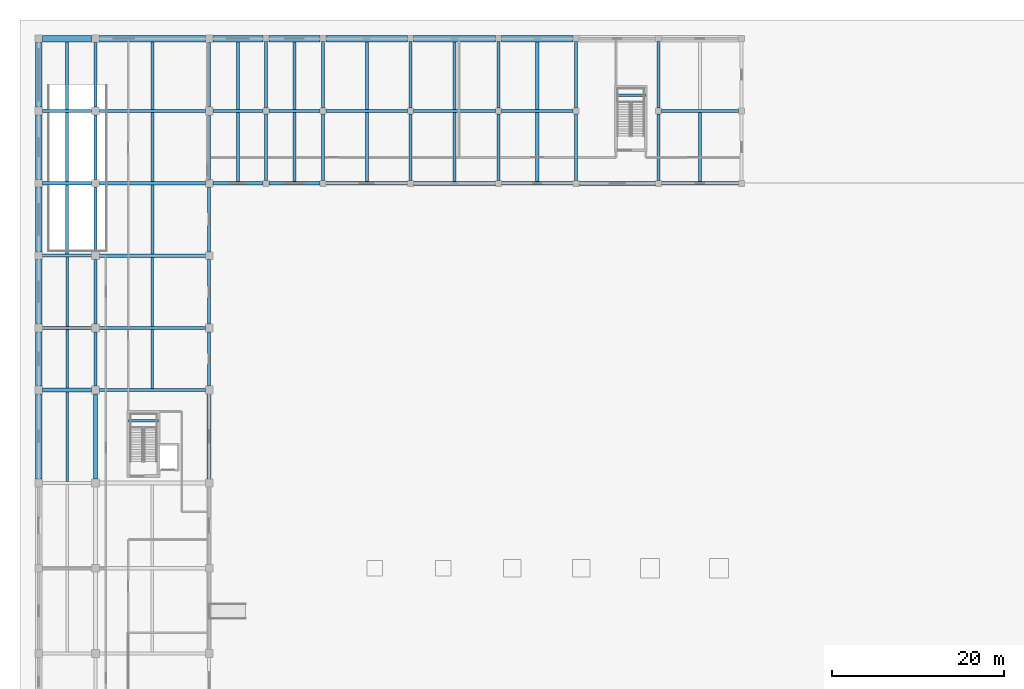
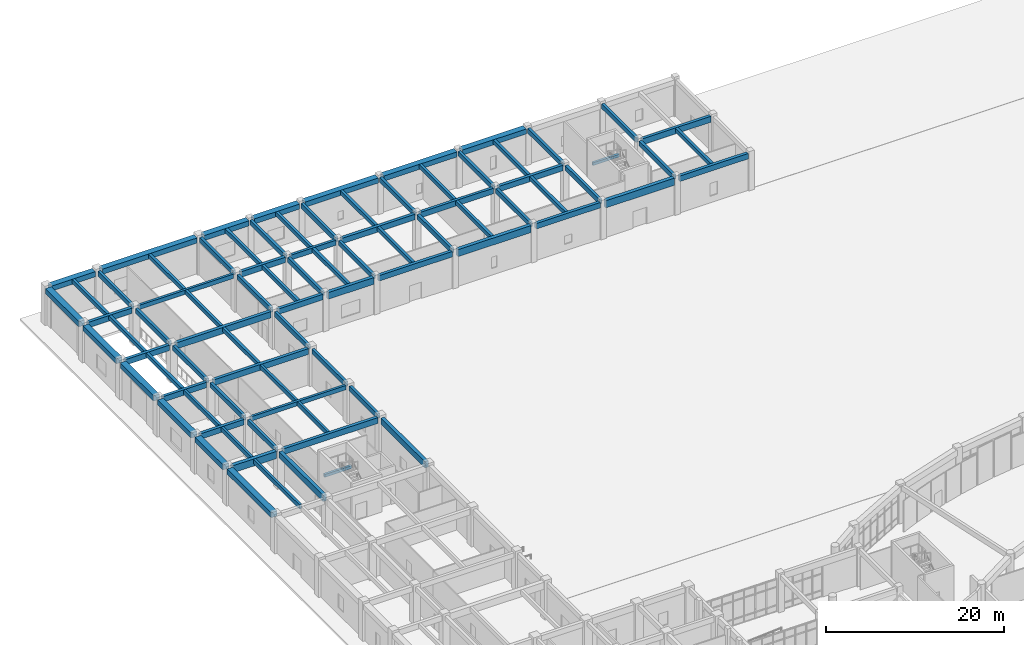
# One storey, part 22 of 70: 84 beams.
"""IFC4 building model written with IfcOpenShell, lengths in metres."""

from ifc_helpers import new_model, si_unit, direction, frame, origin, origin_2d, place, context, subcontext, project, spatial, rectangle, extrude, material, material_profile, profile_set, type_object, element, save


model = new_model("IFC4")

# Units and contexts
model_context = context("Model", 3, precision=1e-05, world=origin(), true_north=direction((0.0, 1.0)))
body_context = subcontext(model_context, "Body", "Model", "MODEL_VIEW")
ifc_project = project(units=[si_unit("LENGTHUNIT", "METRE"), si_unit("AREAUNIT", "SQUARE_METRE"), si_unit("VOLUMEUNIT", "CUBIC_METRE"), si_unit("PLANEANGLEUNIT", "RADIAN"), si_unit("MASSUNIT", "GRAM", prefix="KILO")], contexts=[model_context])

# Site, building, storey
site_placement = place(None, origin())
site = spatial("IfcSite", under=ifc_project, at=site_placement, CompositionType="ELEMENT")
building_placement = place(site_placement, origin())
building = spatial("IfcBuilding", under=site, at=building_placement, Name="Miralva Faculty of Natural Sciences", CompositionType="ELEMENT")
storey_placement = place(building_placement, origin())
storey = spatial("IfcBuildingStorey", under=building, at=storey_placement, Name="L00", CompositionType="ELEMENT", Elevation=0.0)

# Beams
ifc_material = material(Name="Concrete C40/50", Category="concrete")
ifc_material_profile_1 = material_profile(ifc_material, rectangle(XDim=0.449951171875, YDim=0.85009765625, at=origin_2d()), Name="RC 450x850")
ifc_profile_set_1 = profile_set([ifc_material_profile_1], Name="Concrete C40/50")
beam_type_1 = type_object("IfcBeamType", Name="BM-B01", PredefinedType="BEAM", material=ifc_profile_set_1)
for number, where, z_axis, x_axis, name in (
    (1, (9.60009765625, 65.85009765625, 4.655029296875), (0.0, 1.0, 0.0), (-1.0, 0.0, 0.0), "Girder NS L00-131"),
    (2, (22.800048828125, 65.85009765625, 4.655029296875), (0.0, 1.0, 0.0), (-1.0, 0.0, 0.0), "Girder NS L00-147"),
):
    element("IfcBeam", number, at=place(storey_placement, frame(where, z_axis=z_axis, x_axis=x_axis)), inside=storey, type_object=beam_type_1, Name=name, PredefinedType="BEAM", context=body_context, shape_type="SweptSolid", body=[
        extrude(rectangle(XDim=0.449951171875, YDim=0.85009765625, at=origin_2d()), origin(), (0.0, 0.0, 1.0), 9.89990234375),
    ])
ifc_material_profile_2 = material_profile(ifc_material, rectangle(XDim=0.39990234375, YDim=0.800048828125, at=origin_2d()), Name="RC 400x800")
ifc_profile_set_2 = profile_set([ifc_material_profile_2], Name="Concrete C40/50")
beam_type_2 = type_object("IfcBeamType", Name="BM-B02", PredefinedType="BEAM", material=ifc_profile_set_2)
for number, where, z_axis, x_axis, name in (
    (3, (10.050048828125, 76.199951171875, 4.679931640625), (1.0, 0.0, 0.0), (0.0, 1.0, 0.0), "Girder EW L00-62"),
    (4, (10.050048828125, 91.800048828125, 4.679931640625), (1.0, 0.0, 0.0), (0.0, 1.0, 0.0), "Girder EW L00-72"),
):
    element("IfcBeam", number, at=place(storey_placement, frame(where, z_axis=z_axis, x_axis=x_axis)), inside=storey, type_object=beam_type_2, Name=name, PredefinedType="BEAM", context=body_context, shape_type="SweptSolid", body=[
        extrude(rectangle(XDim=0.39990234375, YDim=0.800048828125, at=origin_2d()), origin(), (0.0, 0.0, 1.0), 12.300048828125),
    ])
ifc_material_profile_3 = material_profile(ifc_material, rectangle(XDim=0.39990234375, YDim=0.75, at=origin_2d()), Name="RC 400x750")
ifc_profile_set_3 = profile_set([ifc_material_profile_3], Name="Concrete C40/50")
beam_type_3 = type_object("IfcBeamType", Name="BM-B03", PredefinedType="BEAM", material=ifc_profile_set_3)
for number, where, z_axis, x_axis, name in (
    (5, (3.449951171875, 83.39990234375, 4.705078125), (1.0, 0.0, 0.0), (0.0, 1.0, 0.0), "Girder EW L00-66"),
    (6, (3.449951171875, 100.199951171875, 4.705078125), (1.0, 0.0, 0.0), (0.0, 1.0, 0.0), "Girder EW L00-76"),
):
    element("IfcBeam", number, at=place(storey_placement, frame(where, z_axis=z_axis, x_axis=x_axis)), inside=storey, type_object=beam_type_3, Name=name, PredefinedType="BEAM", context=body_context, shape_type="SweptSolid", body=[
        extrude(rectangle(XDim=0.39990234375, YDim=0.75, at=origin_2d()), origin(), (0.0, 0.0, 1.0), 5.699951171875),
    ])
beam_1_placement = place(storey_placement, frame((23.25, 100.199951171875, 4.705078125), z_axis=(1.0, 0.0, 0.0), x_axis=(0.0, 1.0, 0.0)))
element("IfcBeam", 7, at=beam_1_placement, inside=storey, type_object=beam_type_3, Name="Girder EW L00-78", PredefinedType="BEAM", context=body_context, shape_type="SweptSolid", body=[
    extrude(rectangle(XDim=0.39990234375, YDim=0.75, at=origin_2d()), origin(), (0.0, 0.0, 1.0), 5.800048828125),
])
beam_2_placement = place(storey_placement, frame((36.35009765625, 100.199951171875, 4.705078125), z_axis=(1.0, 0.0, 0.0), x_axis=(0.0, 1.0, 0.0)))
element("IfcBeam", 8, at=beam_2_placement, inside=storey, type_object=beam_type_3, Name="Girder EW L00-80", PredefinedType="BEAM", context=body_context, shape_type="SweptSolid", body=[
    extrude(rectangle(XDim=0.39990234375, YDim=0.75, at=origin_2d()), origin(), (0.0, 0.0, 1.0), 9.5),
])
beam_3_placement = place(storey_placement, frame((56.75, 100.199951171875, 4.705078125), z_axis=(1.0, 0.0, 0.0), x_axis=(0.0, 1.0, 0.0)))
element("IfcBeam", 9, at=beam_3_placement, inside=storey, type_object=beam_type_3, Name="Girder EW L00-82", PredefinedType="BEAM", context=body_context, shape_type="SweptSolid", body=[
    extrude(rectangle(XDim=0.39990234375, YDim=0.75, at=origin_2d()), origin(), (0.0, 0.0, 1.0), 8.300048828125),
])
beam_4_placement = place(storey_placement, frame((75.35009765625, 100.199951171875, 4.705078125), z_axis=(1.0, 0.0, 0.0), x_axis=(0.0, 1.0, 0.0)))
element("IfcBeam", 10, at=beam_4_placement, inside=storey, type_object=beam_type_3, Name="Girder EW L00-84", PredefinedType="BEAM", context=body_context, shape_type="SweptSolid", body=[
    extrude(rectangle(XDim=0.39990234375, YDim=0.75, at=origin_2d()), origin(), (0.0, 0.0, 1.0), 8.89990234375),
])
beam_5_placement = place(storey_placement, frame((3.449951171875, 108.60009765625, 4.705078125), z_axis=(1.0, 0.0, 0.0), x_axis=(0.0, 1.0, 0.0)))
element("IfcBeam", 11, at=beam_5_placement, inside=storey, type_object=beam_type_3, Name="Girder EW L00-88", PredefinedType="BEAM", context=body_context, shape_type="SweptSolid", body=[
    extrude(rectangle(XDim=0.39990234375, YDim=0.75, at=origin_2d()), origin(), (0.0, 0.0, 1.0), 5.699951171875),
])
beam_6_placement = place(storey_placement, frame((23.25, 108.60009765625, 4.705078125), z_axis=(1.0, 0.0, 0.0), x_axis=(0.0, 1.0, 0.0)))
element("IfcBeam", 12, at=beam_6_placement, inside=storey, type_object=beam_type_3, Name="Girder EW L00-90", PredefinedType="BEAM", context=body_context, shape_type="SweptSolid", body=[
    extrude(rectangle(XDim=0.39990234375, YDim=0.75, at=origin_2d()), origin(), (0.0, 0.0, 1.0), 5.800048828125),
])
beam_7_placement = place(storey_placement, frame((36.35009765625, 108.60009765625, 4.705078125), z_axis=(1.0, 0.0, 0.0), x_axis=(0.0, 1.0, 0.0)))
element("IfcBeam", 13, at=beam_7_placement, inside=storey, type_object=beam_type_3, Name="Girder EW L00-92", PredefinedType="BEAM", context=body_context, shape_type="SweptSolid", body=[
    extrude(rectangle(XDim=0.39990234375, YDim=0.75, at=origin_2d()), origin(), (0.0, 0.0, 1.0), 9.5),
])
beam_8_placement = place(storey_placement, frame((56.75, 108.60009765625, 4.705078125), z_axis=(1.0, 0.0, 0.0), x_axis=(0.0, 1.0, 0.0)))
element("IfcBeam", 14, at=beam_8_placement, inside=storey, type_object=beam_type_3, Name="Girder EW L00-94", PredefinedType="BEAM", context=body_context, shape_type="SweptSolid", body=[
    extrude(rectangle(XDim=0.39990234375, YDim=0.75, at=origin_2d()), origin(), (0.0, 0.0, 1.0), 8.300048828125),
])
ifc_material_profile_4 = material_profile(ifc_material, rectangle(XDim=0.35009765625, YDim=0.64990234375, at=origin_2d()), Name="RC 350x650")
ifc_profile_set_4 = profile_set([ifc_material_profile_4], Name="Concrete C40/50")
beam_type_4 = type_object("IfcBeamType", Name="BM-B05", PredefinedType="BEAM", material=ifc_profile_set_4)
beam_9_placement = place(storey_placement, frame((9.60009765625, 76.64990234375, 4.7548828125), z_axis=(0.0, 1.0, 0.0), x_axis=(-1.0, 0.0, 0.0)))
element("IfcBeam", 15, at=beam_9_placement, inside=storey, type_object=beam_type_4, Name="Girder NS L00-132", PredefinedType="BEAM", context=body_context, shape_type="SweptSolid", body=[
    extrude(rectangle(XDim=0.35009765625, YDim=0.64990234375, at=origin_2d()), origin(), (0.0, 0.0, 1.0), 6.300048828125),
])
for number, where, z_axis, x_axis, name in (
    (16, (9.60009765625, 83.85009765625, 4.7548828125), (0.0, 1.0, 0.0), (-1.0, 0.0, 0.0), "Girder NS L00-133"),
    (17, (9.60009765625, 92.25, 4.7548828125), (0.0, 1.0, 0.0), (-1.0, 0.0, 0.0), "Girder NS L00-134"),
    (18, (9.60009765625, 100.64990234375, 4.7548828125), (0.0, 1.0, 0.0), (-1.0, 0.0, 0.0), "Girder NS L00-135"),
    (19, (9.60009765625, 109.050048828125, 4.7548828125), (0.0, 1.0, 0.0), (-1.0, 0.0, 0.0), "Girder NS L00-136"),
):
    element("IfcBeam", number, at=place(storey_placement, frame(where, z_axis=z_axis, x_axis=x_axis)), inside=storey, type_object=beam_type_4, Name=name, PredefinedType="BEAM", context=body_context, shape_type="SweptSolid", body=[
        extrude(rectangle(XDim=0.35009765625, YDim=0.64990234375, at=origin_2d()), origin(), (0.0, 0.0, 1.0), 7.5),
    ])
beam_10_placement = place(storey_placement, frame((22.800048828125, 76.64990234375, 4.7548828125), z_axis=(0.0, 1.0, 0.0), x_axis=(-1.0, 0.0, 0.0)))
element("IfcBeam", 20, at=beam_10_placement, inside=storey, type_object=beam_type_4, Name="Girder NS L00-148", PredefinedType="BEAM", context=body_context, shape_type="SweptSolid", body=[
    extrude(rectangle(XDim=0.35009765625, YDim=0.64990234375, at=origin_2d()), origin(), (0.0, 0.0, 1.0), 6.300048828125),
])
for number, where, z_axis, x_axis, name in (
    (21, (22.800048828125, 83.85009765625, 4.7548828125), (0.0, 1.0, 0.0), (-1.0, 0.0, 0.0), "Girder NS L00-149"),
    (22, (22.800048828125, 92.25, 4.7548828125), (0.0, 1.0, 0.0), (-1.0, 0.0, 0.0), "Girder NS L00-150"),
    (23, (22.800048828125, 100.64990234375, 4.7548828125), (0.0, 1.0, 0.0), (-1.0, 0.0, 0.0), "Girder NS L00-151"),
    (24, (22.800048828125, 109.050048828125, 4.7548828125), (0.0, 1.0, 0.0), (-1.0, 0.0, 0.0), "Girder NS L00-152"),
):
    element("IfcBeam", number, at=place(storey_placement, frame(where, z_axis=z_axis, x_axis=x_axis)), inside=storey, type_object=beam_type_4, Name=name, PredefinedType="BEAM", context=body_context, shape_type="SweptSolid", body=[
        extrude(rectangle(XDim=0.35009765625, YDim=0.64990234375, at=origin_2d()), origin(), (0.0, 0.0, 1.0), 7.5),
    ])
for number, where, z_axis, x_axis, name in (
    (25, (29.39990234375, 100.550048828125, 4.7548828125), (0.0, 1.0, 0.0), (-1.0, 0.0, 0.0), "Girder NS L00-156"),
    (26, (29.39990234375, 108.949951171875, 4.7548828125), (0.0, 1.0, 0.0), (-1.0, 0.0, 0.0), "Girder NS L00-157"),
    (27, (36.0, 100.550048828125, 4.7548828125), (0.0, 1.0, 0.0), (-1.0, 0.0, 0.0), "Girder NS L00-161"),
    (28, (36.0, 108.949951171875, 4.7548828125), (0.0, 1.0, 0.0), (-1.0, 0.0, 0.0), "Girder NS L00-162"),
    (29, (46.199951171875, 100.550048828125, 4.7548828125), (0.0, 1.0, 0.0), (-1.0, 0.0, 0.0), "Girder NS L00-164"),
    (30, (46.199951171875, 108.949951171875, 4.7548828125), (0.0, 1.0, 0.0), (-1.0, 0.0, 0.0), "Girder NS L00-165"),
    (31, (56.39990234375, 100.550048828125, 4.7548828125), (0.0, 1.0, 0.0), (-1.0, 0.0, 0.0), "Girder NS L00-167"),
    (32, (56.39990234375, 108.949951171875, 4.7548828125), (0.0, 1.0, 0.0), (-1.0, 0.0, 0.0), "Girder NS L00-168"),
    (33, (65.39990234375, 100.550048828125, 4.7548828125), (0.0, 1.0, 0.0), (-1.0, 0.0, 0.0), "Girder NS L00-169"),
    (34, (65.39990234375, 108.949951171875, 4.7548828125), (0.0, 1.0, 0.0), (-1.0, 0.0, 0.0), "Girder NS L00-170"),
    (35, (75.0, 100.550048828125, 4.7548828125), (0.0, 1.0, 0.0), (-1.0, 0.0, 0.0), "Girder NS L00-171"),
    (36, (75.0, 108.949951171875, 4.7548828125), (0.0, 1.0, 0.0), (-1.0, 0.0, 0.0), "Girder NS L00-172"),
):
    element("IfcBeam", number, at=place(storey_placement, frame(where, z_axis=z_axis, x_axis=x_axis)), inside=storey, type_object=beam_type_4, Name=name, PredefinedType="BEAM", context=body_context, shape_type="SweptSolid", body=[
        extrude(rectangle(XDim=0.35009765625, YDim=0.64990234375, at=origin_2d()), origin(), (0.0, 0.0, 1.0), 7.699951171875),
    ])
ifc_material_profile_5 = material_profile(ifc_material, rectangle(XDim=0.320068359375, YDim=0.580078125, at=origin_2d()), Name="RC 320x580")
ifc_profile_set_5 = profile_set([ifc_material_profile_5], Name="Concrete C40/50")
beam_type_5 = type_object("IfcBeamType", Name="BM-BG02", PredefinedType="BEAM", material=ifc_profile_set_5)
for number, where, z_axis, x_axis, name in (
    (37, (10.050048828125, 83.39990234375, 4.7900390625), (1.0, 0.0, 0.0), (0.0, 1.0, 0.0), "Girder EW L00-67"),
    (38, (10.050048828125, 108.60009765625, 4.7900390625), (1.0, 0.0, 0.0), (0.0, 1.0, 0.0), "Girder EW L00-89"),
):
    element("IfcBeam", number, at=place(storey_placement, frame(where, z_axis=z_axis, x_axis=x_axis)), inside=storey, type_object=beam_type_5, Name=name, PredefinedType="BEAM", context=body_context, shape_type="SweptSolid", body=[
        extrude(rectangle(XDim=0.320068359375, YDim=0.580078125, at=origin_2d()), origin(), (0.0, 0.0, 1.0), 12.300048828125),
    ])
ifc_material_profile_6 = material_profile(ifc_material, rectangle(XDim=0.340087890625, YDim=0.679931640625, at=origin_2d()), Name="RC 340x680")
ifc_profile_set_6 = profile_set([ifc_material_profile_6], Name="Concrete C40/50")
beam_type_6 = type_object("IfcBeamType", Name="BM-BG04", PredefinedType="BEAM", material=ifc_profile_set_6)
beam_11_placement = place(storey_placement, frame((29.75, 108.60009765625, 4.739990234375), z_axis=(1.0, 0.0, 0.0), x_axis=(0.0, 1.0, 0.0)))
element("IfcBeam", 39, at=beam_11_placement, inside=storey, type_object=beam_type_6, Name="Girder EW L00-91", PredefinedType="BEAM", context=body_context, shape_type="SweptSolid", body=[
    extrude(rectangle(XDim=0.340087890625, YDim=0.679931640625, at=origin_2d()), origin(), (0.0, 0.0, 1.0), 5.89990234375),
])
ifc_material_profile_7 = material_profile(ifc_material, rectangle(XDim=0.360107421875, YDim=0.760009765625, at=origin_2d()), Name="RC 360x760")
ifc_profile_set_7 = profile_set([ifc_material_profile_7], Name="Concrete C40/50")
beam_type_7 = type_object("IfcBeamType", Name="BM-BG06", PredefinedType="BEAM", material=ifc_profile_set_7)
beam_12_placement = place(storey_placement, frame((3.449951171875, 91.800048828125, 4.699951171875), z_axis=(1.0, 0.0, 0.0), x_axis=(0.0, 1.0, 0.0)))
element("IfcBeam", 40, at=beam_12_placement, inside=storey, type_object=beam_type_7, Name="Girder EW L00-71", PredefinedType="BEAM", context=body_context, shape_type="SweptSolid", body=[
    extrude(rectangle(XDim=0.360107421875, YDim=0.760009765625, at=origin_2d()), origin(), (0.0, 0.0, 1.0), 5.699951171875),
])
beam_13_placement = place(storey_placement, frame((46.550048828125, 108.60009765625, 4.699951171875), z_axis=(1.0, 0.0, 0.0), x_axis=(0.0, 1.0, 0.0)))
element("IfcBeam", 41, at=beam_13_placement, inside=storey, type_object=beam_type_7, Name="Girder EW L00-93", PredefinedType="BEAM", context=body_context, shape_type="SweptSolid", body=[
    extrude(rectangle(XDim=0.360107421875, YDim=0.760009765625, at=origin_2d()), origin(), (0.0, 0.0, 1.0), 9.5),
])
ifc_material_profile_8 = material_profile(ifc_material, rectangle(XDim=0.3798828125, YDim=0.820068359375, at=origin_2d()), Name="RC 380x820")
ifc_profile_set_8 = profile_set([ifc_material_profile_8], Name="Concrete C40/50")
beam_type_8 = type_object("IfcBeamType", Name="BM-BG08", PredefinedType="BEAM", material=ifc_profile_set_8)
beam_14_placement = place(storey_placement, frame((75.35009765625, 108.60009765625, 4.669921875), z_axis=(1.0, 0.0, 0.0), x_axis=(0.0, 1.0, 0.0)))
element("IfcBeam", 42, at=beam_14_placement, inside=storey, type_object=beam_type_8, Name="Girder EW L00-95", PredefinedType="BEAM", context=body_context, shape_type="SweptSolid", body=[
    extrude(rectangle(XDim=0.3798828125, YDim=0.820068359375, at=origin_2d()), origin(), (0.0, 0.0, 1.0), 8.89990234375),
])
ifc_material_profile_9 = material_profile(ifc_material, rectangle(XDim=0.419921875, YDim=0.860107421875, at=origin_2d()), Name="RC 420x860")
ifc_profile_set_9 = profile_set([ifc_material_profile_9], Name="Concrete C40/50")
beam_type_9 = type_object("IfcBeamType", Name="BM-BG12", PredefinedType="BEAM", material=ifc_profile_set_9)
beam_15_placement = place(storey_placement, frame((10.050048828125, 100.199951171875, 4.64990234375), z_axis=(1.0, 0.0, 0.0), x_axis=(0.0, 1.0, 0.0)))
element("IfcBeam", 43, at=beam_15_placement, inside=storey, type_object=beam_type_9, Name="Girder EW L00-77", PredefinedType="BEAM", context=body_context, shape_type="SweptSolid", body=[
    extrude(rectangle(XDim=0.419921875, YDim=0.860107421875, at=origin_2d()), origin(), (0.0, 0.0, 1.0), 12.300048828125),
])
ifc_material_profile_10 = material_profile(ifc_material, rectangle(XDim=0.43994140625, YDim=0.919921875, at=origin_2d()), Name="RC 440x920")
ifc_profile_set_10 = profile_set([ifc_material_profile_10], Name="Concrete C40/50")
beam_type_10 = type_object("IfcBeamType", Name="BM-BG14", PredefinedType="BEAM", material=ifc_profile_set_10)
beam_16_placement = place(storey_placement, frame((29.75, 100.199951171875, 4.6201171875), z_axis=(1.0, 0.0, 0.0), x_axis=(0.0, 1.0, 0.0)))
element("IfcBeam", 44, at=beam_16_placement, inside=storey, type_object=beam_type_10, Name="Girder EW L00-79", PredefinedType="BEAM", context=body_context, shape_type="SweptSolid", body=[
    extrude(rectangle(XDim=0.43994140625, YDim=0.919921875, at=origin_2d()), origin(), (0.0, 0.0, 1.0), 5.89990234375),
])
ifc_material_profile_11 = material_profile(ifc_material, rectangle(XDim=0.4599609375, YDim=0.9599609375, at=origin_2d()), Name="RC 460x960")
ifc_profile_set_11 = profile_set([ifc_material_profile_11], Name="Concrete C40/50")
beam_type_11 = type_object("IfcBeamType", Name="BM-BG16", PredefinedType="BEAM", material=ifc_profile_set_11)
beam_17_placement = place(storey_placement, frame((46.550048828125, 100.199951171875, 4.60009765625), z_axis=(1.0, 0.0, 0.0), x_axis=(0.0, 1.0, 0.0)))
element("IfcBeam", 45, at=beam_17_placement, inside=storey, type_object=beam_type_11, Name="Girder EW L00-81", PredefinedType="BEAM", context=body_context, shape_type="SweptSolid", body=[
    extrude(rectangle(XDim=0.4599609375, YDim=0.9599609375, at=origin_2d()), origin(), (0.0, 0.0, 1.0), 9.5),
])
ifc_material_profile_12 = material_profile(ifc_material, rectangle(XDim=0.47998046875, YDim=0.97998046875, at=origin_2d()), Name="RC 480x980")
ifc_profile_set_12 = profile_set([ifc_material_profile_12], Name="Concrete C40/50")
beam_type_12 = type_object("IfcBeamType", Name="BM-BG18", PredefinedType="BEAM", material=ifc_profile_set_12)
beam_18_placement = place(storey_placement, frame((3.449951171875, 76.199951171875, 4.590087890625), z_axis=(1.0, 0.0, 0.0), x_axis=(0.0, 1.0, 0.0)))
element("IfcBeam", 46, at=beam_18_placement, inside=storey, type_object=beam_type_12, Name="Girder EW L00-61", PredefinedType="BEAM", context=body_context, shape_type="SweptSolid", body=[
    extrude(rectangle(XDim=0.47998046875, YDim=0.97998046875, at=origin_2d()), origin(), (0.0, 0.0, 1.0), 5.699951171875),
])
beam_19_placement = place(storey_placement, frame((65.75, 100.199951171875, 4.590087890625), z_axis=(1.0, 0.0, 0.0), x_axis=(0.0, 1.0, 0.0)))
element("IfcBeam", 47, at=beam_19_placement, inside=storey, type_object=beam_type_12, Name="Girder EW L00-83", PredefinedType="BEAM", context=body_context, shape_type="SweptSolid", body=[
    extrude(rectangle(XDim=0.47998046875, YDim=0.97998046875, at=origin_2d()), origin(), (0.0, 0.0, 1.0), 8.89990234375),
])
ifc_material_profile_13 = material_profile(ifc_material, rectangle(XDim=0.300048828125, YDim=0.60009765625, at=origin_2d()), Name="RC 300x600")
ifc_profile_set_13 = profile_set([ifc_material_profile_13], Name="Concrete C40/50")
beam_type_13 = type_object("IfcBeamType", Name="BM-J01", PredefinedType="JOIST", material=ifc_profile_set_13)
beam_20_placement = place(storey_placement, frame((6.300048828125, 65.60009765625, 4.780029296875), z_axis=(0.0, 1.0, 0.0), x_axis=(-1.0, 0.0, 0.0)))
element("IfcBeam", 48, at=beam_20_placement, inside=storey, type_object=beam_type_13, Name="Floor joist L00-22", PredefinedType="JOIST", context=body_context, shape_type="SweptSolid", body=[
    extrude(rectangle(XDim=0.300048828125, YDim=0.60009765625, at=origin_2d()), origin(), (0.0, 0.0, 1.0), 10.35986328125),
])
beam_21_placement = place(storey_placement, frame((6.300048828125, 76.43994140625, 4.780029296875), z_axis=(0.0, 1.0, 0.0), x_axis=(-1.0, 0.0, 0.0)))
element("IfcBeam", 49, at=beam_21_placement, inside=storey, type_object=beam_type_13, Name="Floor joist L00-26", PredefinedType="JOIST", context=body_context, shape_type="SweptSolid", body=[
    extrude(rectangle(XDim=0.300048828125, YDim=0.60009765625, at=origin_2d()), origin(), (0.0, 0.0, 1.0), 6.760009765625),
])
beam_22_placement = place(storey_placement, frame((16.199951171875, 76.39990234375, 4.780029296875), z_axis=(0.0, 1.0, 0.0), x_axis=(-1.0, 0.0, 0.0)))
element("IfcBeam", 50, at=beam_22_placement, inside=storey, type_object=beam_type_13, Name="Floor joist L00-27", PredefinedType="JOIST", context=body_context, shape_type="SweptSolid", body=[
    extrude(rectangle(XDim=0.300048828125, YDim=0.60009765625, at=origin_2d()), origin(), (0.0, 0.0, 1.0), 6.840087890625),
])
beam_23_placement = place(storey_placement, frame((6.300048828125, 83.60009765625, 4.780029296875), z_axis=(0.0, 1.0, 0.0), x_axis=(-1.0, 0.0, 0.0)))
element("IfcBeam", 51, at=beam_23_placement, inside=storey, type_object=beam_type_13, Name="Floor joist L00-31", PredefinedType="JOIST", context=body_context, shape_type="SweptSolid", body=[
    extrude(rectangle(XDim=0.300048828125, YDim=0.60009765625, at=origin_2d()), origin(), (0.0, 0.0, 1.0), 8.02001953125),
])
beam_24_placement = place(storey_placement, frame((16.199951171875, 83.56005859375, 4.780029296875), z_axis=(0.0, 1.0, 0.0), x_axis=(-1.0, 0.0, 0.0)))
element("IfcBeam", 52, at=beam_24_placement, inside=storey, type_object=beam_type_13, Name="Floor joist L00-32", PredefinedType="JOIST", context=body_context, shape_type="SweptSolid", body=[
    extrude(rectangle(XDim=0.300048828125, YDim=0.60009765625, at=origin_2d()), origin(), (0.0, 0.0, 1.0), 8.0400390625),
])
ifc_material_profile_14 = material_profile(ifc_material, rectangle(XDim=0.35009765625, YDim=0.550048828125, at=origin_2d()), Name="RC 350x550")
ifc_profile_set_14 = profile_set([ifc_material_profile_14], Name="Concrete C40/50")
beam_type_14 = type_object("IfcBeamType", Name="BM-J04", PredefinedType="JOIST", material=ifc_profile_set_14)
beam_25_placement = place(storey_placement, frame((6.300048828125, 91.97998046875, 4.804931640625), z_axis=(0.0, 1.0, 0.0), x_axis=(-1.0, 0.0, 0.0)))
element("IfcBeam", 53, at=beam_25_placement, inside=storey, type_object=beam_type_14, Name="Floor joist L00-36", PredefinedType="JOIST", context=body_context, shape_type="SweptSolid", body=[
    extrude(rectangle(XDim=0.35009765625, YDim=0.550048828125, at=origin_2d()), origin(), (0.0, 0.0, 1.0), 8.02001953125),
])
beam_26_placement = place(storey_placement, frame((16.199951171875, 92.0, 4.804931640625), z_axis=(0.0, 1.0, 0.0), x_axis=(-1.0, 0.0, 0.0)))
element("IfcBeam", 54, at=beam_26_placement, inside=storey, type_object=beam_type_14, Name="Floor joist L00-37", PredefinedType="JOIST", context=body_context, shape_type="SweptSolid", body=[
    extrude(rectangle(XDim=0.35009765625, YDim=0.550048828125, at=origin_2d()), origin(), (0.0, 0.0, 1.0), 7.989990234375),
])
beam_27_placement = place(storey_placement, frame((6.300048828125, 100.39990234375, 4.804931640625), z_axis=(0.0, 1.0, 0.0), x_axis=(-1.0, 0.0, 0.0)))
element("IfcBeam", 55, at=beam_27_placement, inside=storey, type_object=beam_type_14, Name="Floor joist L00-41", PredefinedType="JOIST", context=body_context, shape_type="SweptSolid", body=[
    extrude(rectangle(XDim=0.35009765625, YDim=0.550048828125, at=origin_2d()), origin(), (0.0, 0.0, 1.0), 8.0),
])
beam_28_placement = place(storey_placement, frame((16.199951171875, 100.409912109375, 4.804931640625), z_axis=(0.0, 1.0, 0.0), x_axis=(-1.0, 0.0, 0.0)))
element("IfcBeam", 56, at=beam_28_placement, inside=storey, type_object=beam_type_14, Name="Floor joist L00-42", PredefinedType="JOIST", context=body_context, shape_type="SweptSolid", body=[
    extrude(rectangle(XDim=0.35009765625, YDim=0.550048828125, at=origin_2d()), origin(), (0.0, 0.0, 1.0), 8.030029296875),
])
beam_29_placement = place(storey_placement, frame((26.14990234375, 100.39990234375, 4.804931640625), z_axis=(0.0, 1.0, 0.0), x_axis=(-1.0, 0.0, 0.0)))
element("IfcBeam", 57, at=beam_29_placement, inside=storey, type_object=beam_type_14, Name="Floor joist L00-43", PredefinedType="JOIST", context=body_context, shape_type="SweptSolid", body=[
    extrude(rectangle(XDim=0.35009765625, YDim=0.550048828125, at=origin_2d()), origin(), (0.0, 0.0, 1.0), 8.0),
])
beam_30_placement = place(storey_placement, frame((32.699951171875, 100.419921875, 4.804931640625), z_axis=(0.0, 1.0, 0.0), x_axis=(-1.0, 0.0, 0.0)))
element("IfcBeam", 58, at=beam_30_placement, inside=storey, type_object=beam_type_14, Name="Floor joist L00-44", PredefinedType="JOIST", context=body_context, shape_type="SweptSolid", body=[
    extrude(rectangle(XDim=0.35009765625, YDim=0.550048828125, at=origin_2d()), origin(), (0.0, 0.0, 1.0), 8.010009765625),
])
beam_31_placement = place(storey_placement, frame((41.10009765625, 100.39990234375, 4.804931640625), z_axis=(0.0, 1.0, 0.0), x_axis=(-1.0, 0.0, 0.0)))
element("IfcBeam", 59, at=beam_31_placement, inside=storey, type_object=beam_type_14, Name="Floor joist L00-45", PredefinedType="JOIST", context=body_context, shape_type="SweptSolid", body=[
    extrude(rectangle(XDim=0.35009765625, YDim=0.550048828125, at=origin_2d()), origin(), (0.0, 0.0, 1.0), 8.0),
])
beam_32_placement = place(storey_placement, frame((51.300048828125, 100.429931640625, 4.804931640625), z_axis=(0.0, 1.0, 0.0), x_axis=(-1.0, 0.0, 0.0)))
element("IfcBeam", 60, at=beam_32_placement, inside=storey, type_object=beam_type_14, Name="Floor joist L00-46", PredefinedType="JOIST", context=body_context, shape_type="SweptSolid", body=[
    extrude(rectangle(XDim=0.35009765625, YDim=0.550048828125, at=origin_2d()), origin(), (0.0, 0.0, 1.0), 7.989990234375),
])
beam_33_placement = place(storey_placement, frame((60.89990234375, 100.39990234375, 4.804931640625), z_axis=(0.0, 1.0, 0.0), x_axis=(-1.0, 0.0, 0.0)))
element("IfcBeam", 61, at=beam_33_placement, inside=storey, type_object=beam_type_14, Name="Floor joist L00-47", PredefinedType="JOIST", context=body_context, shape_type="SweptSolid", body=[
    extrude(rectangle(XDim=0.35009765625, YDim=0.550048828125, at=origin_2d()), origin(), (0.0, 0.0, 1.0), 8.0),
])
beam_34_placement = place(storey_placement, frame((79.800048828125, 100.39990234375, 4.804931640625), z_axis=(0.0, 1.0, 0.0), x_axis=(-1.0, 0.0, 0.0)))
element("IfcBeam", 62, at=beam_34_placement, inside=storey, type_object=beam_type_14, Name="Floor joist L00-48", PredefinedType="JOIST", context=body_context, shape_type="SweptSolid", body=[
    extrude(rectangle(XDim=0.35009765625, YDim=0.550048828125, at=origin_2d()), origin(), (0.0, 0.0, 1.0), 8.010009765625),
])
beam_35_placement = place(storey_placement, frame((6.300048828125, 108.800048828125, 4.804931640625), z_axis=(0.0, 1.0, 0.0), x_axis=(-1.0, 0.0, 0.0)))
element("IfcBeam", 63, at=beam_35_placement, inside=storey, type_object=beam_type_14, Name="Floor joist L00-52", PredefinedType="JOIST", context=body_context, shape_type="SweptSolid", body=[
    extrude(rectangle(XDim=0.35009765625, YDim=0.550048828125, at=origin_2d()), origin(), (0.0, 0.0, 1.0), 7.824951171875),
])
beam_36_placement = place(storey_placement, frame((16.199951171875, 108.760009765625, 4.804931640625), z_axis=(0.0, 1.0, 0.0), x_axis=(-1.0, 0.0, 0.0)))
element("IfcBeam", 64, at=beam_36_placement, inside=storey, type_object=beam_type_14, Name="Floor joist L00-53", PredefinedType="JOIST", context=body_context, shape_type="SweptSolid", body=[
    extrude(rectangle(XDim=0.35009765625, YDim=0.550048828125, at=origin_2d()), origin(), (0.0, 0.0, 1.0), 7.864990234375),
])
beam_37_placement = place(storey_placement, frame((26.14990234375, 108.800048828125, 4.804931640625), z_axis=(0.0, 1.0, 0.0), x_axis=(-1.0, 0.0, 0.0)))
element("IfcBeam", 65, at=beam_37_placement, inside=storey, type_object=beam_type_14, Name="Floor joist L00-54", PredefinedType="JOIST", context=body_context, shape_type="SweptSolid", body=[
    extrude(rectangle(XDim=0.35009765625, YDim=0.550048828125, at=origin_2d()), origin(), (0.0, 0.0, 1.0), 7.824951171875),
])
beam_38_placement = place(storey_placement, frame((32.699951171875, 108.77001953125, 4.804931640625), z_axis=(0.0, 1.0, 0.0), x_axis=(-1.0, 0.0, 0.0)))
element("IfcBeam", 66, at=beam_38_placement, inside=storey, type_object=beam_type_14, Name="Floor joist L00-55", PredefinedType="JOIST", context=body_context, shape_type="SweptSolid", body=[
    extrude(rectangle(XDim=0.35009765625, YDim=0.550048828125, at=origin_2d()), origin(), (0.0, 0.0, 1.0), 7.85498046875),
])
beam_39_placement = place(storey_placement, frame((41.10009765625, 108.800048828125, 4.804931640625), z_axis=(0.0, 1.0, 0.0), x_axis=(-1.0, 0.0, 0.0)))
element("IfcBeam", 67, at=beam_39_placement, inside=storey, type_object=beam_type_14, Name="Floor joist L00-56", PredefinedType="JOIST", context=body_context, shape_type="SweptSolid", body=[
    extrude(rectangle(XDim=0.35009765625, YDim=0.550048828125, at=origin_2d()), origin(), (0.0, 0.0, 1.0), 7.824951171875),
])
beam_40_placement = place(storey_placement, frame((51.300048828125, 108.780029296875, 4.804931640625), z_axis=(0.0, 1.0, 0.0), x_axis=(-1.0, 0.0, 0.0)))
element("IfcBeam", 68, at=beam_40_placement, inside=storey, type_object=beam_type_14, Name="Floor joist L00-57", PredefinedType="JOIST", context=body_context, shape_type="SweptSolid", body=[
    extrude(rectangle(XDim=0.35009765625, YDim=0.550048828125, at=origin_2d()), origin(), (0.0, 0.0, 1.0), 7.844970703125),
])
beam_41_placement = place(storey_placement, frame((60.89990234375, 108.800048828125, 4.804931640625), z_axis=(0.0, 1.0, 0.0), x_axis=(-1.0, 0.0, 0.0)))
element("IfcBeam", 69, at=beam_41_placement, inside=storey, type_object=beam_type_14, Name="Floor joist L00-58", PredefinedType="JOIST", context=body_context, shape_type="SweptSolid", body=[
    extrude(rectangle(XDim=0.35009765625, YDim=0.550048828125, at=origin_2d()), origin(), (0.0, 0.0, 1.0), 7.824951171875),
])
ifc_material_profile_15 = material_profile(ifc_material, rectangle(XDim=0.300048828125, YDim=0.3798828125, at=origin_2d()), Name="RC 300x380")
ifc_profile_set_15 = profile_set([ifc_material_profile_15], Name="Concrete C40/50")
beam_type_15 = type_object("IfcBeamType", Name="BM-LND01", PredefinedType="BEAM", material=ifc_profile_set_15)
beam_42_placement = place(storey_placement, frame((13.425048828125, 72.635009765625, 2.320068359375), z_axis=(1.0, 0.0, 0.0), x_axis=(0.0, 1.0, 0.0)))
element("IfcBeam", 70, at=beam_42_placement, inside=storey, type_object=beam_type_15, Name="Stair Core C2 half-landing support beam L00", PredefinedType="BEAM", context=body_context, shape_type="SweptSolid", body=[
    extrude(rectangle(XDim=0.300048828125, YDim=0.3798828125, at=origin_2d()), origin(), (0.0, 0.0, 1.0), 3.5),
])
beam_43_placement = place(storey_placement, frame((70.050048828125, 110.43505859375, 2.320068359375), z_axis=(1.0, 0.0, 0.0), x_axis=(0.0, 1.0, 0.0)))
element("IfcBeam", 71, at=beam_43_placement, inside=storey, type_object=beam_type_15, Name="Stair Core C5 half-landing support beam L00", PredefinedType="BEAM", context=body_context, shape_type="SweptSolid", body=[
    extrude(rectangle(XDim=0.300048828125, YDim=0.3798828125, at=origin_2d()), origin(), (0.0, 0.0, 1.0), 3.449951171875),
])
ifc_material_profile_16 = material_profile(ifc_material, rectangle(XDim=0.75, YDim=0.699951171875, at=origin_2d()), Name="RC 750x700")
ifc_profile_set_16 = profile_set([ifc_material_profile_16], Name="Concrete C40/50")
beam_type_16 = type_object("IfcBeamType", Name="BM-SP01", PredefinedType="SPANDREL", material=ifc_profile_set_16)
beam_44_placement = place(storey_placement, frame((3.449951171875, 117.0, 4.72998046875), z_axis=(1.0, 0.0, 0.0), x_axis=(0.0, 1.0, 0.0)))
element("IfcBeam", 72, at=beam_44_placement, inside=storey, type_object=beam_type_16, Name="Girder EW L00-99", PredefinedType="SPANDREL", context=body_context, shape_type="SweptSolid", body=[
    extrude(rectangle(XDim=0.75, YDim=0.699951171875, at=origin_2d()), origin(), (0.0, 0.0, 1.0), 5.699951171875),
])
beam_45_placement = place(storey_placement, frame((10.050048828125, 117.0, 4.72998046875), z_axis=(1.0, 0.0, 0.0), x_axis=(0.0, 1.0, 0.0)))
element("IfcBeam", 73, at=beam_45_placement, inside=storey, type_object=beam_type_16, Name="Girder EW L00-100", PredefinedType="SPANDREL", context=body_context, shape_type="SweptSolid", body=[
    extrude(rectangle(XDim=0.75, YDim=0.699951171875, at=origin_2d()), origin(), (0.0, 0.0, 1.0), 12.300048828125),
])
beam_46_placement = place(storey_placement, frame((23.25, 117.0, 4.72998046875), z_axis=(1.0, 0.0, 0.0), x_axis=(0.0, 1.0, 0.0)))
element("IfcBeam", 74, at=beam_46_placement, inside=storey, type_object=beam_type_16, Name="Girder EW L00-101", PredefinedType="SPANDREL", context=body_context, shape_type="SweptSolid", body=[
    extrude(rectangle(XDim=0.75, YDim=0.699951171875, at=origin_2d()), origin(), (0.0, 0.0, 1.0), 5.800048828125),
])
beam_47_placement = place(storey_placement, frame((29.75, 117.0, 4.72998046875), z_axis=(1.0, 0.0, 0.0), x_axis=(0.0, 1.0, 0.0)))
element("IfcBeam", 75, at=beam_47_placement, inside=storey, type_object=beam_type_16, Name="Girder EW L00-102", PredefinedType="SPANDREL", context=body_context, shape_type="SweptSolid", body=[
    extrude(rectangle(XDim=0.75, YDim=0.699951171875, at=origin_2d()), origin(), (0.0, 0.0, 1.0), 5.89990234375),
])
for number, where, z_axis, x_axis, name in (
    (76, (36.35009765625, 117.0, 4.72998046875), (1.0, 0.0, 0.0), (0.0, 1.0, 0.0), "Girder EW L00-103"),
    (77, (46.550048828125, 117.0, 4.72998046875), (1.0, 0.0, 0.0), (0.0, 1.0, 0.0), "Girder EW L00-104"),
):
    element("IfcBeam", number, at=place(storey_placement, frame(where, z_axis=z_axis, x_axis=x_axis)), inside=storey, type_object=beam_type_16, Name=name, PredefinedType="SPANDREL", context=body_context, shape_type="SweptSolid", body=[
        extrude(rectangle(XDim=0.75, YDim=0.699951171875, at=origin_2d()), origin(), (0.0, 0.0, 1.0), 9.5),
    ])
beam_48_placement = place(storey_placement, frame((56.75, 117.0, 4.72998046875), z_axis=(1.0, 0.0, 0.0), x_axis=(0.0, 1.0, 0.0)))
element("IfcBeam", 78, at=beam_48_placement, inside=storey, type_object=beam_type_16, Name="Girder EW L00-105", PredefinedType="SPANDREL", context=body_context, shape_type="SweptSolid", body=[
    extrude(rectangle(XDim=0.75, YDim=0.699951171875, at=origin_2d()), origin(), (0.0, 0.0, 1.0), 8.300048828125),
])
beam_49_placement = place(storey_placement, frame((3.0, 65.85009765625, 4.72998046875), z_axis=(0.0, 1.0, 0.0), x_axis=(-1.0, 0.0, 0.0)))
element("IfcBeam", 79, at=beam_49_placement, inside=storey, type_object=beam_type_16, Name="Girder NS L00-118", PredefinedType="SPANDREL", context=body_context, shape_type="SweptSolid", body=[
    extrude(rectangle(XDim=0.75, YDim=0.699951171875, at=origin_2d()), origin(), (0.0, 0.0, 1.0), 9.89990234375),
])
beam_50_placement = place(storey_placement, frame((3.0, 76.64990234375, 4.72998046875), z_axis=(0.0, 1.0, 0.0), x_axis=(-1.0, 0.0, 0.0)))
element("IfcBeam", 80, at=beam_50_placement, inside=storey, type_object=beam_type_16, Name="Girder NS L00-119", PredefinedType="SPANDREL", context=body_context, shape_type="SweptSolid", body=[
    extrude(rectangle(XDim=0.75, YDim=0.699951171875, at=origin_2d()), origin(), (0.0, 0.0, 1.0), 6.300048828125),
])
for number, where, z_axis, x_axis, name in (
    (81, (3.0, 83.85009765625, 4.72998046875), (0.0, 1.0, 0.0), (-1.0, 0.0, 0.0), "Girder NS L00-120"),
    (82, (3.0, 92.25, 4.72998046875), (0.0, 1.0, 0.0), (-1.0, 0.0, 0.0), "Girder NS L00-121"),
    (83, (3.0, 100.64990234375, 4.72998046875), (0.0, 1.0, 0.0), (-1.0, 0.0, 0.0), "Girder NS L00-122"),
    (84, (3.0, 109.050048828125, 4.72998046875), (0.0, 1.0, 0.0), (-1.0, 0.0, 0.0), "Girder NS L00-123"),
):
    element("IfcBeam", number, at=place(storey_placement, frame(where, z_axis=z_axis, x_axis=x_axis)), inside=storey, type_object=beam_type_16, Name=name, PredefinedType="SPANDREL", context=body_context, shape_type="SweptSolid", body=[
        extrude(rectangle(XDim=0.75, YDim=0.699951171875, at=origin_2d()), origin(), (0.0, 0.0, 1.0), 7.5),
    ])

save(model, "model.ifc")
